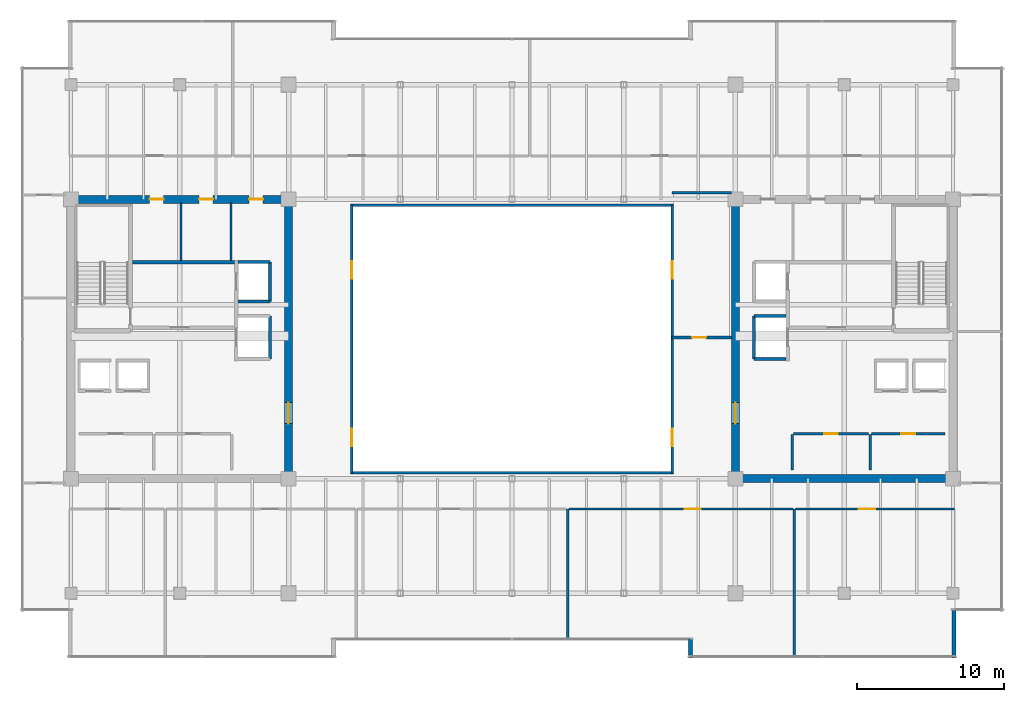
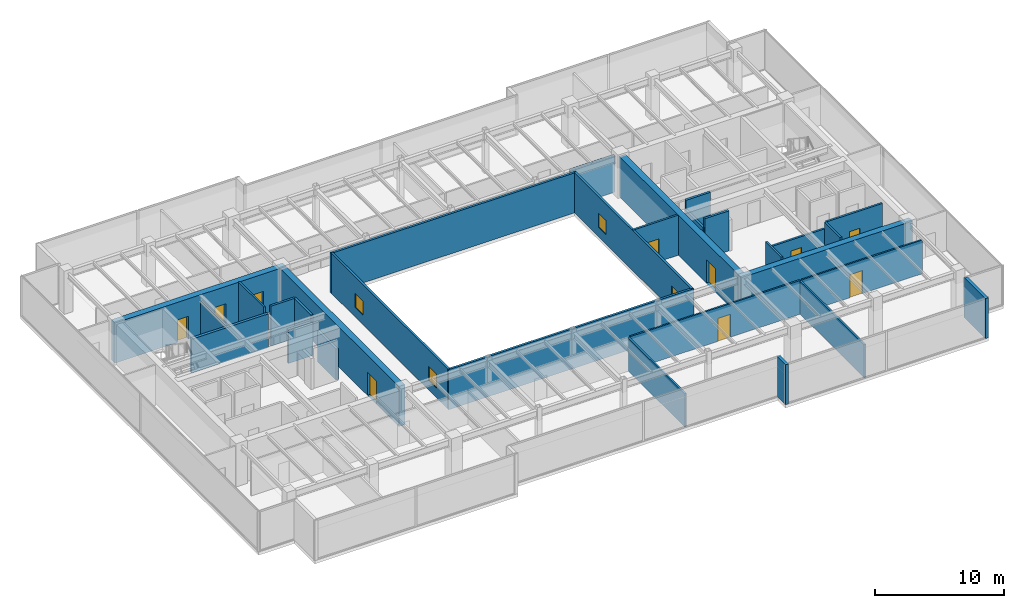
# One storey, part 29 of 35: 30 walls, 10 doors, 4 windows, 14 openings.
"""IFC4 building model written with IfcOpenShell, lengths in metres."""

from ifc_helpers import new_model, si_unit, direction, frame, frame_2d, origin, place, context, subcontext, project, spatial, rectangle, extrude, source, transform, mapped, material, layer, layer_set, type_object, type_shapes, element, fill, save


model = new_model("IFC4")

# Units and contexts
model_context = context("Model", 3, precision=1e-05, world=origin(), true_north=direction((0.0, 1.0)))
body_context = subcontext(model_context, "Body", "Model", "MODEL_VIEW")
ifc_project = project(units=[si_unit("LENGTHUNIT", "METRE"), si_unit("AREAUNIT", "SQUARE_METRE"), si_unit("VOLUMEUNIT", "CUBIC_METRE"), si_unit("PLANEANGLEUNIT", "RADIAN"), si_unit("MASSUNIT", "GRAM", prefix="KILO")], contexts=[model_context])

# Site, building, storey
site_placement = place(None, origin())
site = spatial("IfcSite", under=ifc_project, at=site_placement, CompositionType="ELEMENT")
building_placement = place(site_placement, origin())
building = spatial("IfcBuilding", under=site, at=building_placement, Name="Haelvirn Gate Laboratories", CompositionType="ELEMENT")
storey_placement = place(building_placement, frame((0.0, 0.0, 221.89990234375)))
storey = spatial("IfcBuildingStorey", under=building, at=storey_placement, Name="L53", CompositionType="ELEMENT", Elevation=221.89990234375)

# Walls
ifc_material_1 = material(Name="Thermally-broken bronze aluminium rainscreen & mineral wool", Category="aluminium")
ifc_layer_1 = layer(ifc_material_1, 0.280029296875, Name="EW-TERR-280")
ifc_layer_set_1 = layer_set([ifc_layer_1], Name="Thermally-broken bronze aluminium rainscreen & mineral wool")
wall_type_1 = type_object("IfcWallType", Name="EW-TERR-280", PredefinedType="STANDARD", material=ifc_layer_set_1)
wall_1_placement = place(storey_placement, frame((49.5400390625, 3.89306640625, 0.0), z_axis=(0.0, 0.0, 1.0), x_axis=(0.0, -1.0, 0.0)))
element("IfcWall", 1, at=wall_1_placement, inside=storey, type_object=wall_type_1, Name="L53 Atrium Recess Bronze Return Wall 03", PredefinedType="STANDARD", context=body_context, shape_type="SweptSolid", body=[
    extrude(rectangle(XDim=1.29296875, YDim=0.280029296875, at=frame_2d((0.646484375, 0.0))), origin(), (0.0, 0.0, 1.0), 3.800048828125),
])
wall_2_placement = place(storey_placement, frame((67.4599609375, 2.60009765625, 0.0), z_axis=(0.0, 0.0, 1.0), x_axis=(0.0, 1.0, 0.0)))
element("IfcWall", 2, at=wall_2_placement, inside=storey, type_object=wall_type_1, Name="L53 Atrium Recess Bronze Return Wall 05", PredefinedType="STANDARD", context=body_context, shape_type="SweptSolid", body=[
    extrude(rectangle(XDim=3.287841796875, YDim=0.280029296875, at=frame_2d((1.64404296875, 0.0))), origin(), (0.0, 0.0, 1.0), 3.800048828125),
])
ifc_material_2 = material(Name="Double-layer acoustic gypsum laboratory partition", Category="gypsum")
ifc_layer_2 = layer(ifc_material_2, 0.159912109375, Name="IW-ACOUST-160")
ifc_layer_set_2 = layer_set([ifc_layer_2], Name="Double-layer acoustic gypsum laboratory partition")
wall_type_2 = type_object("IfcWallType", Name="IW-ACOUST-160", PredefinedType="PARTITIONING", material=ifc_layer_set_2)
wall_3_placement = place(storey_placement, frame((41.199951171875, 3.909912109375, 0.0), z_axis=(0.0, 0.0, 1.0), x_axis=(0.0, 1.0, 0.0)))
element("IfcWall", 3, at=wall_3_placement, inside=storey, type_object=wall_type_2, Name="L53 Interior Wall IW-L53-SDIV-03", PredefinedType="PARTITIONING", context=body_context, shape_type="SweptSolid", body=[
    extrude(rectangle(XDim=8.830078125, YDim=0.159912109375, at=frame_2d((4.4150390625, 0.0))), origin(), (0.0, 0.0, 1.0), 3.135009765625),
])
wall_4_placement = place(storey_placement, frame((56.60009765625, 2.7099609375, 0.0), z_axis=(0.0, 0.0, 1.0), x_axis=(0.0, 1.0, 0.0)))
element("IfcWall", 4, at=wall_4_placement, inside=storey, type_object=wall_type_2, Name="L53 Interior Wall IW-L53-SDIV-04", PredefinedType="PARTITIONING", context=body_context, shape_type="SweptSolid", body=[
    extrude(rectangle(XDim=10.030029296875, YDim=0.159912109375, at=frame_2d((5.01513671875, 0.0))), origin(), (0.0, 0.0, 1.0), 3.135009765625),
])
ifc_material_3 = material(Name="Fire-rated acoustic gypsum board partition", Category="gypsum")
ifc_layer_3 = layer(ifc_material_3, 0.175048828125, Name="IW-ACOUST-180")
ifc_layer_set_3 = layer_set([ifc_layer_3], Name="Fire-rated acoustic gypsum board partition")
wall_type_3 = type_object("IfcWallType", Name="IW-ACOUST-180", PredefinedType="PARTITIONING", material=ifc_layer_set_3)
wall_5_placement = place(storey_placement, frame((48.300048828125, 34.260009765625, 0.0), z_axis=(0.0, 0.0, 1.0), x_axis=(1.0, 0.0, 0.0)))
element("IfcWall", 5, at=wall_5_placement, inside=storey, type_object=wall_type_3, Name="L53 Interior Wall IW-L53-EPOD-N", PredefinedType="PARTITIONING", context=body_context, shape_type="SweptSolid", body=[
    extrude(rectangle(XDim=4.02490234375, YDim=0.175048828125, at=frame_2d((2.012451171875, 0.0))), origin(), (0.0, 0.0, 1.0), 3.485107421875),
])

# Wall, opening, door
wall_6_placement = place(storey_placement, frame((48.300048828125, 24.39990234375, 0.0), z_axis=(0.0, 0.0, 1.0), x_axis=(1.0, 0.0, 0.0)))
wall_6 = element("IfcWall", 6, at=wall_6_placement, inside=storey, type_object=wall_type_3, Name="L53 Interior Wall IW-L53-EPOD-S", PredefinedType="PARTITIONING", context=body_context, shape_type="SweptSolid", body=[
    extrude(rectangle(XDim=4.02490234375, YDim=0.175048828125, at=frame_2d((2.012451171875, 0.0))), origin(), (0.0, 0.0, 1.0), 3.800048828125),
])
opening_1_placement = place(wall_6_placement, frame((1.35009765625, 0.0, 0.0)))
opening_1 = element("IfcOpeningElement", 7, at=opening_1_placement, cuts=wall_6, Name="Opening FD4", PredefinedType="OPENING", context=body_context, shape_type="SweptSolid", body=[
    extrude(rectangle(XDim=0.949951171875, YDim=2.14990234375, at=frame_2d((0.47509765625, 1.074951171875))), frame((0.0, 0.09765625, 0.0), z_axis=(0.0, -1.0, 0.0), x_axis=(1.0, 0.0, 0.0)), (0.0, 0.0, 1.0), 0.195068359375),
])
ifc_material_4 = material(Name="Fire-rated steel SM355 core service door", Category="steel")
door_type_1 = type_object("IfcDoorType", Name="DR-FD-950", OperationType="NOTDEFINED", PredefinedType="DOOR", material=ifc_material_4)
shared_shape_1 = source(origin(), body_context, "Body", "SweptSolid", [
    extrude(rectangle(XDim=0.949951171875, YDim=2.14990234375, at=frame_2d((0.47509765625, 1.074951171875))), frame((0.0, 0.02490234375, 0.0), z_axis=(0.0, -1.0, 0.0), x_axis=(1.0, 0.0, 0.0)), (0.0, 0.0, 1.0), 0.050048828125),
])
type_shapes(door_type_1, [shared_shape_1])
door_1_placement = place(opening_1_placement, origin())
door_1 = element("IfcDoor", 8, at=door_1_placement, inside=storey, type_object=door_type_1, Name="L53 High-Zone Collaboration Suite Door", OperationType="SINGLE_SWING_LEFT", OverallHeight=2.14990234375, OverallWidth=0.949951171875, PredefinedType="DOOR", context=body_context, shape_type="MappedRepresentation", body=[
    mapped(shared_shape_1, transform((0.0, 0.0, 0.0), scale=1.0)),
])
fill(opening_1, door_1)

# Wall, openings, windows
ifc_material_5 = material(Name="Tempered fire-rated borosilicate glass & anodised aluminium", Category="aluminium")
ifc_layer_4 = layer(ifc_material_5, 0.195068359375, Name="IW-GLAZ-200")
ifc_layer_set_4 = layer_set([ifc_layer_4], Name="Tempered fire-rated borosilicate glass & anodised aluminium")
wall_type_4 = type_object("IfcWallType", Name="IW-GLAZ-200", PredefinedType="SOLIDWALL", material=ifc_layer_set_4)
wall_7_placement = place(storey_placement, frame((26.5, 15.199951171875, 0.0), z_axis=(0.0, 0.0, 1.0), x_axis=(0.0, 1.0, 0.0)))
wall_7 = element("IfcWall", 9, at=wall_7_placement, inside=storey, type_object=wall_type_4, Name="L53 Interior Wall IW-L53-ATRIUM-W", PredefinedType="SOLIDWALL", context=body_context, shape_type="SweptSolid", body=[
    extrude(rectangle(XDim=18.199951171875, YDim=0.195068359375, at=frame_2d((9.10009765625, 0.0))), origin(), (0.0, 0.0, 1.0), 3.800048828125),
])
opening_2_placement = place(wall_7_placement, frame((1.800048828125, 0.0, 0.89990234375)))
opening_2 = element("IfcOpeningElement", 10, at=opening_2_placement, cuts=wall_7, Name="Opening W6", PredefinedType="OPENING", context=body_context, shape_type="SweptSolid", body=[
    extrude(rectangle(XDim=1.199951171875, YDim=1.35009765625, at=frame_2d((0.60009765625, 0.675048828125))), frame((0.0, 0.107421875, 0.0), z_axis=(0.0, -1.0, 0.0), x_axis=(1.0, 0.0, 0.0)), (0.0, 0.0, 1.0), 0.215087890625),
])
opening_3_placement = place(wall_7_placement, frame((13.199951171875, 0.0, 0.89990234375)))
opening_3 = element("IfcOpeningElement", 11, at=opening_3_placement, cuts=wall_7, Name="Opening W6", PredefinedType="OPENING", context=body_context, shape_type="SweptSolid", body=[
    extrude(rectangle(XDim=1.199951171875, YDim=1.35009765625, at=frame_2d((0.60009765625, 0.675048828125))), frame((0.0, 0.107421875, 0.0), z_axis=(0.0, -1.0, 0.0), x_axis=(1.0, 0.0, 0.0)), (0.0, 0.0, 1.0), 0.215087890625),
])
ifc_material_6 = material(Name="Fire-rated EI 120 borosilicate atrium vision glazing", Category="glass")
window_type = type_object("IfcWindowType", Name="WN-ATR-1200", PartitioningType="SINGLE_PANEL", PredefinedType="WINDOW", material=ifc_material_6)
shared_shape_2 = source(origin(), body_context, "Body", "SweptSolid", [
    extrude(rectangle(XDim=1.199951171875, YDim=1.35009765625, at=frame_2d((0.60009765625, 0.675048828125))), frame((0.0, 0.030029296875, 0.0), z_axis=(0.0, -1.0, 0.0), x_axis=(1.0, 0.0, 0.0)), (0.0, 0.0, 1.0), 0.06005859375),
])
type_shapes(window_type, [shared_shape_2])
window_1_placement = place(opening_2_placement, origin())
window_1 = element("IfcWindow", 12, at=window_1_placement, inside=storey, type_object=window_type, Name="L53 Atrium Observation Window 1", OverallHeight=1.35009765625, OverallWidth=1.199951171875, PartitioningType="SINGLE_PANEL", PredefinedType="WINDOW", context=body_context, shape_type="MappedRepresentation", body=[
    mapped(shared_shape_2, transform((0.0, 0.0, 0.0), scale=1.0)),
])
fill(opening_2, window_1)
window_2_placement = place(opening_3_placement, origin())
window_2 = element("IfcWindow", 13, at=window_2_placement, inside=storey, type_object=window_type, Name="L53 Atrium Observation Window 2", OverallHeight=1.35009765625, OverallWidth=1.199951171875, PartitioningType="SINGLE_PANEL", PredefinedType="WINDOW", context=body_context, shape_type="MappedRepresentation", body=[
    mapped(shared_shape_2, transform((0.0, 0.0, 0.0), scale=1.0)),
])
fill(opening_3, window_2)

wall_8_placement = place(storey_placement, frame((48.300048828125, 15.199951171875, 0.0), z_axis=(0.0, 0.0, 1.0), x_axis=(0.0, 1.0, 0.0)))
wall_8 = element("IfcWall", 14, at=wall_8_placement, inside=storey, type_object=wall_type_4, Name="L53 Interior Wall IW-L53-ATRIUM-E", PredefinedType="SOLIDWALL", context=body_context, shape_type="SweptSolid", body=[
    extrude(rectangle(XDim=18.199951171875, YDim=0.195068359375, at=frame_2d((9.10009765625, 0.0))), origin(), (0.0, 0.0, 1.0), 3.800048828125),
])
opening_4_placement = place(wall_8_placement, frame((1.800048828125, 0.0, 0.89990234375)))
opening_4 = element("IfcOpeningElement", 15, at=opening_4_placement, cuts=wall_8, Name="Opening W6", PredefinedType="OPENING", context=body_context, shape_type="SweptSolid", body=[
    extrude(rectangle(XDim=1.199951171875, YDim=1.35009765625, at=frame_2d((0.60009765625, 0.675048828125))), frame((0.0, 0.107421875, 0.0), z_axis=(0.0, -1.0, 0.0), x_axis=(1.0, 0.0, 0.0)), (0.0, 0.0, 1.0), 0.215087890625),
])
opening_5_placement = place(wall_8_placement, frame((13.199951171875, 0.0, 0.89990234375)))
opening_5 = element("IfcOpeningElement", 16, at=opening_5_placement, cuts=wall_8, Name="Opening W6", PredefinedType="OPENING", context=body_context, shape_type="SweptSolid", body=[
    extrude(rectangle(XDim=1.199951171875, YDim=1.35009765625, at=frame_2d((0.60009765625, 0.675048828125))), frame((0.0, 0.107421875, 0.0), z_axis=(0.0, -1.0, 0.0), x_axis=(1.0, 0.0, 0.0)), (0.0, 0.0, 1.0), 0.215087890625),
])
window_3_placement = place(opening_4_placement, origin())
window_3 = element("IfcWindow", 17, at=window_3_placement, inside=storey, type_object=window_type, Name="L53 Atrium Observation Window 1", OverallHeight=1.35009765625, OverallWidth=1.199951171875, PartitioningType="SINGLE_PANEL", PredefinedType="WINDOW", context=body_context, shape_type="MappedRepresentation", body=[
    mapped(shared_shape_2, transform((0.0, 0.0, 0.0), scale=1.0)),
])
fill(opening_4, window_3)
window_4_placement = place(opening_5_placement, origin())
window_4 = element("IfcWindow", 18, at=window_4_placement, inside=storey, type_object=window_type, Name="L53 Atrium Observation Window 2", OverallHeight=1.35009765625, OverallWidth=1.199951171875, PartitioningType="SINGLE_PANEL", PredefinedType="WINDOW", context=body_context, shape_type="MappedRepresentation", body=[
    mapped(shared_shape_2, transform((0.0, 0.0, 0.0), scale=1.0)),
])
fill(opening_5, window_4)

# Walls
for number, where, z_axis, x_axis, name in (
    (19, (26.39990234375, 15.199951171875, 0.0), (0.0, 0.0, 1.0), (1.0, 0.0, 0.0), "L53 Interior Wall IW-L53-ATRIUM-S"),
    (20, (26.39990234375, 33.39990234375, 0.0), (0.0, 0.0, 1.0), (1.0, 0.0, 0.0), "L53 Interior Wall IW-L53-ATRIUM-N"),
):
    element("IfcWall", number, at=place(storey_placement, frame(where, z_axis=z_axis, x_axis=x_axis)), inside=storey, type_object=wall_type_4, Name=name, PredefinedType="SOLIDWALL", context=body_context, shape_type="SweptSolid", body=[
        extrude(rectangle(XDim=22.0, YDim=0.195068359375, at=frame_2d((11.0, 0.0))), origin(), (0.0, 0.0, 1.0), 3.800048828125),
    ])

# Wall, opening, door
ifc_material_7 = material(Name="Acoustic mineral-wool gypsum board partition", Category="gypsum")
ifc_layer_5 = layer(ifc_material_7, 0.139892578125, Name="IW-PART-140")
ifc_layer_set_5 = layer_set([ifc_layer_5], Name="Acoustic mineral-wool gypsum board partition")
wall_type_5 = type_object("IfcWallType", Name="IW-PART-140", PredefinedType="PARTITIONING", material=ifc_layer_set_5)
wall_9_placement = place(storey_placement, frame((41.280029296875, 12.739990234375, 0.0), z_axis=(0.0, 0.0, 1.0), x_axis=(1.0, 0.0, 0.0)))
wall_9 = element("IfcWall", 21, at=wall_9_placement, inside=storey, type_object=wall_type_5, Name="L53 Interior Wall IW-L53-SCORR-04", PredefinedType="PARTITIONING", context=body_context, shape_type="SweptSolid", body=[
    extrude(rectangle(XDim=15.239990234375, YDim=0.139892578125, at=frame_2d((7.6201171875, 0.0))), origin(), (0.0, 0.0, 1.0), 3.197021484375),
])
opening_6_placement = place(wall_9_placement, frame((7.87646484375, 0.0, 0.0)))
opening_6 = element("IfcOpeningElement", 22, at=opening_6_placement, cuts=wall_9, Name="Opening D1", PredefinedType="OPENING", context=body_context, shape_type="SweptSolid", body=[
    extrude(rectangle(XDim=1.10009765625, YDim=2.179931640625, at=frame_2d((0.550048828125, 1.08984375))), frame((0.0, 0.080078125, 0.0), z_axis=(0.0, -1.0, 0.0), x_axis=(1.0, 0.0, 0.0)), (0.0, 0.0, 1.0), 0.159912109375),
])
ifc_material_8 = material(Name="Vision-panel acoustic solid-core timber lab door", Category="wood")
door_type_2 = type_object("IfcDoorType", Name="DR-LAB-1100", OperationType="NOTDEFINED", PredefinedType="DOOR", material=ifc_material_8)
shared_shape_3 = source(origin(), body_context, "Body", "SweptSolid", [
    extrude(rectangle(XDim=1.10009765625, YDim=2.179931640625, at=frame_2d((0.550048828125, 1.08984375))), frame((0.0, 0.02490234375, 0.0), z_axis=(0.0, -1.0, 0.0), x_axis=(1.0, 0.0, 0.0)), (0.0, 0.0, 1.0), 0.050048828125),
])
type_shapes(door_type_2, [shared_shape_3])
door_2_placement = place(opening_6_placement, origin())
door_2 = element("IfcDoor", 23, at=door_2_placement, inside=storey, type_object=door_type_2, Name="L53 Translational Data Office Door S4", OperationType="SINGLE_SWING_LEFT", OverallHeight=2.179931640625, OverallWidth=1.10009765625, PredefinedType="DOOR", context=body_context, shape_type="MappedRepresentation", body=[
    mapped(shared_shape_3, transform((0.0, 0.0, 0.0), scale=1.0)),
])
fill(opening_6, door_2)

wall_10_placement = place(storey_placement, frame((56.679931640625, 12.739990234375, 0.0), z_axis=(0.0, 0.0, 1.0), x_axis=(1.0, 0.0, 0.0)))
wall_10 = element("IfcWall", 24, at=wall_10_placement, inside=storey, type_object=wall_type_5, Name="L53 Interior Wall IW-L53-SCORR-05", PredefinedType="PARTITIONING", context=body_context, shape_type="SweptSolid", body=[
    extrude(rectangle(XDim=10.81005859375, YDim=0.139892578125, at=frame_2d((5.405029296875, 0.0))), origin(), (0.0, 0.0, 1.0), 3.197021484375),
])
opening_7_placement = place(wall_10_placement, frame((4.314453125, 0.0, 0.0)))
opening_7 = element("IfcOpeningElement", 25, at=opening_7_placement, cuts=wall_10, Name="Opening D1", PredefinedType="OPENING", context=body_context, shape_type="SweptSolid", body=[
    extrude(rectangle(XDim=1.10009765625, YDim=2.179931640625, at=frame_2d((0.550048828125, 1.08984375))), frame((0.0, 0.080078125, 0.0), z_axis=(0.0, -1.0, 0.0), x_axis=(1.0, 0.0, 0.0)), (0.0, 0.0, 1.0), 0.159912109375),
])
door_3_placement = place(opening_7_placement, origin())
door_3 = element("IfcDoor", 26, at=door_3_placement, inside=storey, type_object=door_type_2, Name="L53 Peer-Review Seminar Room Door S5", OperationType="SINGLE_SWING_RIGHT", OverallHeight=2.179931640625, OverallWidth=1.10009765625, PredefinedType="DOOR", context=body_context, shape_type="MappedRepresentation", body=[
    mapped(shared_shape_3, transform((0.0, 0.0, 0.0), scale=1.0)),
])
fill(opening_7, door_3)

# Walls
ifc_material_9 = material(Name="Cement-board restroom plumbing chase wall", Category="gypsum")
ifc_layer_6 = layer(ifc_material_9, 0.155029296875, Name="IW-PLUMB-160")
ifc_layer_set_6 = layer_set([ifc_layer_6], Name="Cement-board restroom plumbing chase wall")
wall_type_6 = type_object("IfcWallType", Name="IW-PLUMB-160", PredefinedType="PLUMBINGWALL", material=ifc_layer_set_6)
wall_11_placement = place(storey_placement, frame((14.889892578125, 29.64990234375, 0.0), z_axis=(0.0, 0.0, 1.0), x_axis=(0.0, 1.0, 0.0)))
element("IfcWall", 27, at=wall_11_placement, inside=storey, type_object=wall_type_6, Name="L53 Interior Wall IW-L53-W-CDIV-1", PredefinedType="PLUMBINGWALL", context=body_context, shape_type="SweptSolid", body=[
    extrude(rectangle(XDim=3.93017578125, YDim=0.155029296875, at=frame_2d((1.965087890625, 0.0))), origin(), (0.0, 0.0, 1.0), 3.197021484375),
])
wall_12_placement = place(storey_placement, frame((18.2900390625, 29.64990234375, 0.0), z_axis=(0.0, 0.0, 1.0), x_axis=(0.0, 1.0, 0.0)))
element("IfcWall", 28, at=wall_12_placement, inside=storey, type_object=wall_type_6, Name="L53 Interior Wall IW-L53-W-CDIV-2", PredefinedType="PLUMBINGWALL", context=body_context, shape_type="SweptSolid", body=[
    extrude(rectangle(XDim=3.93017578125, YDim=0.155029296875, at=frame_2d((1.965087890625, 0.0))), origin(), (0.0, 0.0, 1.0), 3.800048828125),
])

# Wall, opening, door
ifc_material_10 = material(Name="Concrete C40/50", Category="concrete")
ifc_layer_7 = layer(ifc_material_10, 0.179931640625, Name="IW-SHAFT-180")
ifc_layer_set_7 = layer_set([ifc_layer_7], Name="Concrete C40/50")
wall_type_7 = type_object("IfcWallType", Name="IW-SHAFT-180", PredefinedType="SOLIDWALL", material=ifc_layer_set_7)
wall_13_placement = place(storey_placement, frame((61.85009765625, 17.85009765625, 0.0), z_axis=(0.0, 0.0, 1.0), x_axis=(1.0, 0.0, 0.0)))
wall_13 = element("IfcWall", 29, at=wall_13_placement, inside=storey, type_object=wall_type_7, Name="L53 Interior Wall IW-L53-E-FREED-HN-1", PredefinedType="SOLIDWALL", context=body_context, shape_type="SweptSolid", body=[
    extrude(rectangle(XDim=5.0, YDim=0.179931640625, at=frame_2d((2.5, 0.0))), origin(), (0.0, 0.0, 1.0), 3.800048828125),
])
opening_8_placement = place(wall_13_placement, frame((2.02490234375, 0.0, 0.0)))
opening_8 = element("IfcOpeningElement", 30, at=opening_8_placement, cuts=wall_13, Name="Opening FD4", PredefinedType="OPENING", context=body_context, shape_type="SweptSolid", body=[
    extrude(rectangle(XDim=0.949951171875, YDim=2.14990234375, at=frame_2d((0.47509765625, 1.074951171875))), frame((0.0, 0.10009765625, 0.0), z_axis=(0.0, -1.0, 0.0), x_axis=(1.0, 0.0, 0.0)), (0.0, 0.0, 1.0), 0.199951171875),
])
door_4_placement = place(opening_8_placement, origin())
door_4 = element("IfcDoor", 31, at=door_4_placement, inside=storey, type_object=door_type_1, Name="L53 Cryogenic Specimen Biobank Door", OperationType="SINGLE_SWING_LEFT", OverallHeight=2.14990234375, OverallWidth=0.949951171875, PredefinedType="DOOR", context=body_context, shape_type="MappedRepresentation", body=[
    mapped(shared_shape_1, transform((0.0, 0.0, 0.0), scale=1.0)),
])
fill(opening_8, door_4)

# Wall
wall_14_placement = place(storey_placement, frame((61.760009765625, 15.39990234375, 0.0), z_axis=(0.0, 0.0, 1.0), x_axis=(0.0, 1.0, 0.0)))
element("IfcWall", 32, at=wall_14_placement, inside=storey, type_object=wall_type_7, Name="L53 Interior Wall IW-L53-E-FREED-HE-1", PredefinedType="SOLIDWALL", context=body_context, shape_type="SweptSolid", body=[
    extrude(rectangle(XDim=2.400146484375, YDim=0.179931640625, at=frame_2d((1.2001953125, 0.0))), origin(), (0.0, 0.0, 1.0), 3.800048828125),
])

# Wall, opening, door
wall_15_placement = place(storey_placement, frame((56.550048828125, 17.85009765625, 0.0), z_axis=(0.0, 0.0, 1.0), x_axis=(1.0, 0.0, 0.0)))
wall_15 = element("IfcWall", 33, at=wall_15_placement, inside=storey, type_object=wall_type_7, Name="L53 Interior Wall IW-L53-E-FREED-HN-2", PredefinedType="SOLIDWALL", context=body_context, shape_type="SweptSolid", body=[
    extrude(rectangle(XDim=5.099853515625, YDim=0.179931640625, at=frame_2d((2.5498046875, 0.0))), origin(), (0.0, 0.0, 1.0), 3.197021484375),
])
opening_9_placement = place(wall_15_placement, frame((2.074951171875, 0.0, 0.0)))
opening_9 = element("IfcOpeningElement", 34, at=opening_9_placement, cuts=wall_15, Name="Opening FD4", PredefinedType="OPENING", context=body_context, shape_type="SweptSolid", body=[
    extrude(rectangle(XDim=0.949951171875, YDim=2.14990234375, at=frame_2d((0.47509765625, 1.074951171875))), frame((0.0, 0.10009765625, 0.0), z_axis=(0.0, -1.0, 0.0), x_axis=(1.0, 0.0, 0.0)), (0.0, 0.0, 1.0), 0.199951171875),
])
door_5_placement = place(opening_9_placement, origin())
door_5 = element("IfcDoor", 35, at=door_5_placement, inside=storey, type_object=door_type_1, Name="L53 Cryo-Assay Preparation Laboratory Door", OperationType="SINGLE_SWING_RIGHT", OverallHeight=2.14990234375, OverallWidth=0.949951171875, PredefinedType="DOOR", context=body_context, shape_type="MappedRepresentation", body=[
    mapped(shared_shape_1, transform((0.0, 0.0, 0.0), scale=1.0)),
])
fill(opening_9, door_5)

# Walls
wall_16_placement = place(storey_placement, frame((56.4599609375, 15.39990234375, 0.0), z_axis=(0.0, 0.0, 1.0), x_axis=(0.0, 1.0, 0.0)))
element("IfcWall", 36, at=wall_16_placement, inside=storey, type_object=wall_type_7, Name="L53 Interior Wall IW-L53-E-FREED-HE-2", PredefinedType="SOLIDWALL", context=body_context, shape_type="SweptSolid", body=[
    extrude(rectangle(XDim=2.400146484375, YDim=0.179931640625, at=frame_2d((1.2001953125, 0.0))), origin(), (0.0, 0.0, 1.0), 3.800048828125),
])
ifc_layer_8 = layer(ifc_material_10, 0.199951171875, Name="IW-SHAFT-200")
ifc_layer_set_8 = layer_set([ifc_layer_8], Name="Concrete C40/50")
wall_type_8 = type_object("IfcWallType", Name="IW-SHAFT-200", PredefinedType="SOLIDWALL", material=ifc_layer_set_8)
wall_17_placement = place(storey_placement, frame((20.949951171875, 26.85009765625, 0.0), z_axis=(0.0, 0.0, 1.0), x_axis=(0.0, 1.0, 0.0)))
element("IfcWall", 37, at=wall_17_placement, inside=storey, type_object=wall_type_8, Name="L53 Interior Wall IW-L53-FL1-BK", PredefinedType="SOLIDWALL", context=body_context, shape_type="SweptSolid", body=[
    extrude(rectangle(XDim=2.699951171875, YDim=0.199951171875, at=frame_2d((1.35009765625, 0.0))), origin(), (0.0, 0.0, 1.0), 3.800048828125),
])
wall_18_placement = place(storey_placement, frame((18.760009765625, 29.550048828125, 0.0), z_axis=(0.0, 0.0, 1.0), x_axis=(1.0, 0.0, 0.0)))
element("IfcWall", 38, at=wall_18_placement, inside=storey, type_object=wall_type_8, Name="L53 Interior Wall IW-L53-FL1-N", PredefinedType="SOLIDWALL", context=body_context, shape_type="SweptSolid", body=[
    extrude(rectangle(XDim=2.18994140625, YDim=0.199951171875, at=frame_2d((1.094970703125, 0.0))), origin(), (0.0, 0.0, 1.0), 3.800048828125),
])
wall_19_placement = place(storey_placement, frame((18.760009765625, 26.85009765625, 0.0), z_axis=(0.0, 0.0, 1.0), x_axis=(1.0, 0.0, 0.0)))
element("IfcWall", 39, at=wall_19_placement, inside=storey, type_object=wall_type_8, Name="L53 Interior Wall IW-L53-FL1-S", PredefinedType="SOLIDWALL", context=body_context, shape_type="SweptSolid", body=[
    extrude(rectangle(XDim=2.18994140625, YDim=0.199951171875, at=frame_2d((1.094970703125, 0.0))), origin(), (0.0, 0.0, 1.0), 3.197021484375),
])
for number, where, z_axis, x_axis, name in (
    (40, (20.949951171875, 22.949951171875, 0.0), (0.0, 0.0, 1.0), (0.0, 1.0, 0.0), "L53 Interior Wall IW-L53-SL1-BK"),
    (41, (53.85009765625, 22.949951171875, 0.0), (0.0, 0.0, 1.0), (0.0, 1.0, 0.0), "L53 Interior Wall IW-L53-SL2-BK"),
):
    element("IfcWall", number, at=place(storey_placement, frame(where, z_axis=z_axis, x_axis=x_axis)), inside=storey, type_object=wall_type_8, Name=name, PredefinedType="SOLIDWALL", context=body_context, shape_type="SweptSolid", body=[
        extrude(rectangle(XDim=2.900146484375, YDim=0.199951171875, at=frame_2d((1.4501953125, 0.0))), origin(), (0.0, 0.0, 1.0), 2.93505859375),
    ])
for number, where, z_axis, x_axis, name in (
    (42, (53.85009765625, 25.85009765625, 0.0), (0.0, 0.0, 1.0), (1.0, 0.0, 0.0), "L53 Interior Wall IW-L53-SL2-N"),
    (43, (53.85009765625, 22.949951171875, 0.0), (0.0, 0.0, 1.0), (1.0, 0.0, 0.0), "L53 Interior Wall IW-L53-SL2-S"),
):
    element("IfcWall", number, at=place(storey_placement, frame(where, z_axis=z_axis, x_axis=x_axis)), inside=storey, type_object=wall_type_8, Name=name, PredefinedType="SOLIDWALL", context=body_context, shape_type="SweptSolid", body=[
        extrude(rectangle(XDim=2.18994140625, YDim=0.199951171875, at=frame_2d((1.094970703125, 0.0))), origin(), (0.0, 0.0, 1.0), 3.800048828125),
    ])
ifc_layer_9 = layer(ifc_material_10, 0.239990234375, Name="IW-SHAFT-240")
ifc_layer_set_9 = layer_set([ifc_layer_9], Name="Concrete C40/50")
wall_type_9 = type_object("IfcWallType", Name="IW-SHAFT-240", PredefinedType="SOLIDWALL", material=ifc_layer_set_9)
wall_20_placement = place(storey_placement, frame((11.60009765625, 29.52001953125, 0.0), z_axis=(0.0, 0.0, 1.0), x_axis=(1.0, 0.0, 0.0)))
element("IfcWall", 44, at=wall_20_placement, inside=storey, type_object=wall_type_9, Name="L53 Interior Wall IW-L53-W-FF-N", PredefinedType="SOLIDWALL", context=body_context, shape_type="SweptSolid", body=[
    extrude(rectangle(XDim=6.919921875, YDim=0.239990234375, at=frame_2d((3.4599609375, 0.0))), origin(), (0.0, 0.0, 1.0), 3.197021484375),
])

# Wall, openings, doors
ifc_material_11 = material(Name="Concrete C50/60", Category="concrete")
ifc_layer_10 = layer(ifc_material_11, 0.550048828125, Name="SW-CORE-550")
ifc_layer_set_10 = layer_set([ifc_layer_10], Name="Concrete C50/60")
wall_type_10 = type_object("IfcWallType", Name="SW-CORE-550", PredefinedType="SHEAR", material=ifc_layer_set_10)
wall_21_placement = place(storey_placement, frame((7.125, 33.800048828125, 0.0), z_axis=(0.0, 0.0, 1.0), x_axis=(1.0, 0.0, 0.0)))
wall_21 = element("IfcWall", 45, at=wall_21_placement, inside=storey, type_object=wall_type_10, Name="L53 W Core Shear Wall N", PredefinedType="SHEAR", context=body_context, shape_type="SweptSolid", body=[
    extrude(rectangle(XDim=15.35009765625, YDim=0.550048828125, at=frame_2d((7.675048828125, 0.0))), origin(), (0.0, 0.0, 1.0), 3.800048828125),
])
opening_10_placement = place(wall_21_placement, frame((5.625, 0.0, 0.0)))
opening_10 = element("IfcOpeningElement", 46, at=opening_10_placement, cuts=wall_21, Name="Opening FD4", PredefinedType="OPENING", context=body_context, shape_type="SweptSolid", body=[
    extrude(rectangle(XDim=0.949951171875, YDim=2.14990234375, at=frame_2d((0.47509765625, 1.074951171875))), frame((0.0, 0.28515625, 0.0), z_axis=(0.0, -1.0, 0.0), x_axis=(1.0, 0.0, 0.0)), (0.0, 0.0, 1.0), 0.570068359375),
])
opening_11_placement = place(wall_21_placement, frame((8.989990234375, 0.0, 0.0)))
opening_11 = element("IfcOpeningElement", 47, at=opening_11_placement, cuts=wall_21, Name="Opening FD4", PredefinedType="OPENING", context=body_context, shape_type="SweptSolid", body=[
    extrude(rectangle(XDim=0.949951171875, YDim=2.14990234375, at=frame_2d((0.47509765625, 1.074951171875))), frame((0.0, 0.28515625, 0.0), z_axis=(0.0, -1.0, 0.0), x_axis=(1.0, 0.0, 0.0)), (0.0, 0.0, 1.0), 0.570068359375),
])
opening_12_placement = place(wall_21_placement, frame((12.389892578125, 0.0, 0.0)))
opening_12 = element("IfcOpeningElement", 48, at=opening_12_placement, cuts=wall_21, Name="Opening FD4", PredefinedType="OPENING", context=body_context, shape_type="SweptSolid", body=[
    extrude(rectangle(XDim=0.949951171875, YDim=2.14990234375, at=frame_2d((0.47509765625, 1.074951171875))), frame((0.0, 0.28515625, 0.0), z_axis=(0.0, -1.0, 0.0), x_axis=(1.0, 0.0, 0.0)), (0.0, 0.0, 1.0), 0.570068359375),
])
door_6_placement = place(opening_10_placement, origin())
door_6 = element("IfcDoor", 49, at=door_6_placement, inside=storey, type_object=door_type_1, Name="L53 Male Restroom Fire Door", OperationType="SINGLE_SWING_RIGHT", OverallHeight=2.14990234375, OverallWidth=0.949951171875, PredefinedType="DOOR", context=body_context, shape_type="MappedRepresentation", body=[
    mapped(shared_shape_1, transform((0.0, 0.0, 0.0), scale=1.0)),
])
fill(opening_10, door_6)
door_7_placement = place(opening_11_placement, origin())
door_7 = element("IfcDoor", 50, at=door_7_placement, inside=storey, type_object=door_type_1, Name="L53 Female Restroom Fire Door", OperationType="SINGLE_SWING_LEFT", OverallHeight=2.14990234375, OverallWidth=0.949951171875, PredefinedType="DOOR", context=body_context, shape_type="MappedRepresentation", body=[
    mapped(shared_shape_1, transform((0.0, 0.0, 0.0), scale=1.0)),
])
fill(opening_11, door_7)
door_8_placement = place(opening_12_placement, origin())
door_8 = element("IfcDoor", 51, at=door_8_placement, inside=storey, type_object=door_type_1, Name="L53 Accessible Restroom Fire Door", OperationType="SINGLE_SWING_RIGHT", OverallHeight=2.14990234375, OverallWidth=0.949951171875, PredefinedType="DOOR", context=body_context, shape_type="MappedRepresentation", body=[
    mapped(shared_shape_1, transform((0.0, 0.0, 0.0), scale=1.0)),
])
fill(opening_12, door_8)

# Wall, opening, door
wall_22_placement = place(storey_placement, frame((22.199951171875, 15.074951171875, 0.0), z_axis=(0.0, 0.0, 1.0), x_axis=(0.0, 1.0, 0.0)))
wall_22 = element("IfcWall", 52, at=wall_22_placement, inside=storey, type_object=wall_type_10, Name="L53 W Core Shear Wall E", PredefinedType="SHEAR", context=body_context, shape_type="SweptSolid", body=[
    extrude(rectangle(XDim=18.449951171875, YDim=0.550048828125, at=frame_2d((9.22509765625, 0.0))), origin(), (0.0, 0.0, 1.0), 3.800048828125),
])
opening_13_placement = place(wall_22_placement, frame((3.47509765625, 0.0, 0.0)))
opening_13 = element("IfcOpeningElement", 53, at=opening_13_placement, cuts=wall_22, Name="Opening FD1", PredefinedType="OPENING", context=body_context, shape_type="SweptSolid", body=[
    extrude(rectangle(XDim=1.419921875, YDim=2.199951171875, at=frame_2d((0.7099609375, 1.10009765625))), frame((0.0, 0.28515625, 0.0), z_axis=(0.0, -1.0, 0.0), x_axis=(1.0, 0.0, 0.0)), (0.0, 0.0, 1.0), 0.570068359375),
])
ifc_material_12 = material(Name="Fire-rated double steel SM355 lobby door", Category="steel")
door_type_3 = type_object("IfcDoorType", Name="DR-FD-1400", OperationType="NOTDEFINED", PredefinedType="DOOR", material=ifc_material_12)
shared_shape_4 = source(origin(), body_context, "Body", "SweptSolid", [
    extrude(rectangle(XDim=1.419921875, YDim=2.199951171875, at=frame_2d((0.7099609375, 1.10009765625))), frame((0.0, 0.02490234375, 0.0), z_axis=(0.0, -1.0, 0.0), x_axis=(1.0, 0.0, 0.0)), (0.0, 0.0, 1.0), 0.050048828125),
])
type_shapes(door_type_3, [shared_shape_4])
door_9_placement = place(opening_13_placement, origin())
door_9 = element("IfcDoor", 54, at=door_9_placement, inside=storey, type_object=door_type_3, Name="L53 West Core Lift Lobby Fire Door", OperationType="DOUBLE_DOOR_SINGLE_SWING", OverallHeight=2.199951171875, OverallWidth=1.419921875, PredefinedType="DOOR", context=body_context, shape_type="MappedRepresentation", body=[
    mapped(shared_shape_4, transform((0.0, 0.0, 0.0), scale=1.0)),
])
fill(opening_13, door_9)

# Wall
wall_23_placement = place(storey_placement, frame((52.324951171875, 14.800048828125, 0.0), z_axis=(0.0, 0.0, 1.0), x_axis=(1.0, 0.0, 0.0)))
element("IfcWall", 55, at=wall_23_placement, inside=storey, type_object=wall_type_10, Name="L53 E Core Shear Wall S", PredefinedType="SHEAR", context=body_context, shape_type="SweptSolid", body=[
    extrude(rectangle(XDim=15.35009765625, YDim=0.550048828125, at=frame_2d((7.675048828125, 0.0))), origin(), (0.0, 0.0, 1.0), 3.800048828125),
])

# Wall, opening, door
wall_24_placement = place(storey_placement, frame((52.60009765625, 15.074951171875, 0.0), z_axis=(0.0, 0.0, 1.0), x_axis=(0.0, 1.0, 0.0)))
wall_24 = element("IfcWall", 56, at=wall_24_placement, inside=storey, type_object=wall_type_10, Name="L53 E Core Shear Wall W", PredefinedType="SHEAR", context=body_context, shape_type="SweptSolid", body=[
    extrude(rectangle(XDim=18.449951171875, YDim=0.550048828125, at=frame_2d((9.22509765625, 0.0))), origin(), (0.0, 0.0, 1.0), 3.800048828125),
])
opening_14_placement = place(wall_24_placement, frame((3.47509765625, 0.0, 0.0)))
opening_14 = element("IfcOpeningElement", 57, at=opening_14_placement, cuts=wall_24, Name="Opening FD1", PredefinedType="OPENING", context=body_context, shape_type="SweptSolid", body=[
    extrude(rectangle(XDim=1.419921875, YDim=2.199951171875, at=frame_2d((0.7099609375, 1.10009765625))), frame((0.0, 0.28515625, 0.0), z_axis=(0.0, -1.0, 0.0), x_axis=(1.0, 0.0, 0.0)), (0.0, 0.0, 1.0), 0.570068359375),
])
door_10_placement = place(opening_14_placement, origin())
door_10 = element("IfcDoor", 58, at=door_10_placement, inside=storey, type_object=door_type_3, Name="L53 East Core Lift Lobby Fire Door", OperationType="DOUBLE_DOOR_SINGLE_SWING", OverallHeight=2.199951171875, OverallWidth=1.419921875, PredefinedType="DOOR", context=body_context, shape_type="MappedRepresentation", body=[
    mapped(shared_shape_4, transform((0.0, 0.0, 0.0), scale=1.0)),
])
fill(opening_14, door_10)

save(model, "model.ifc")
